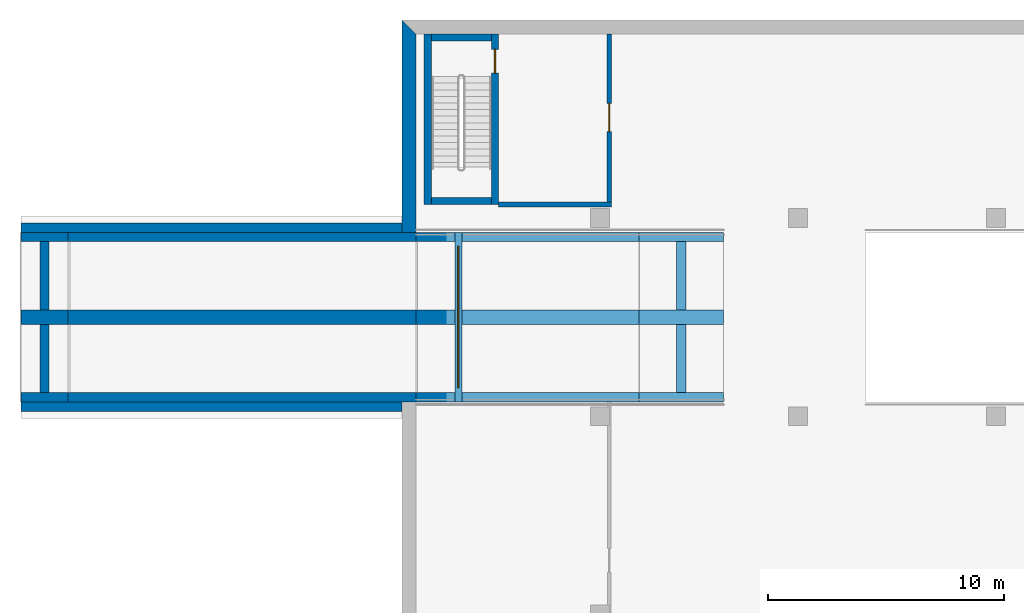
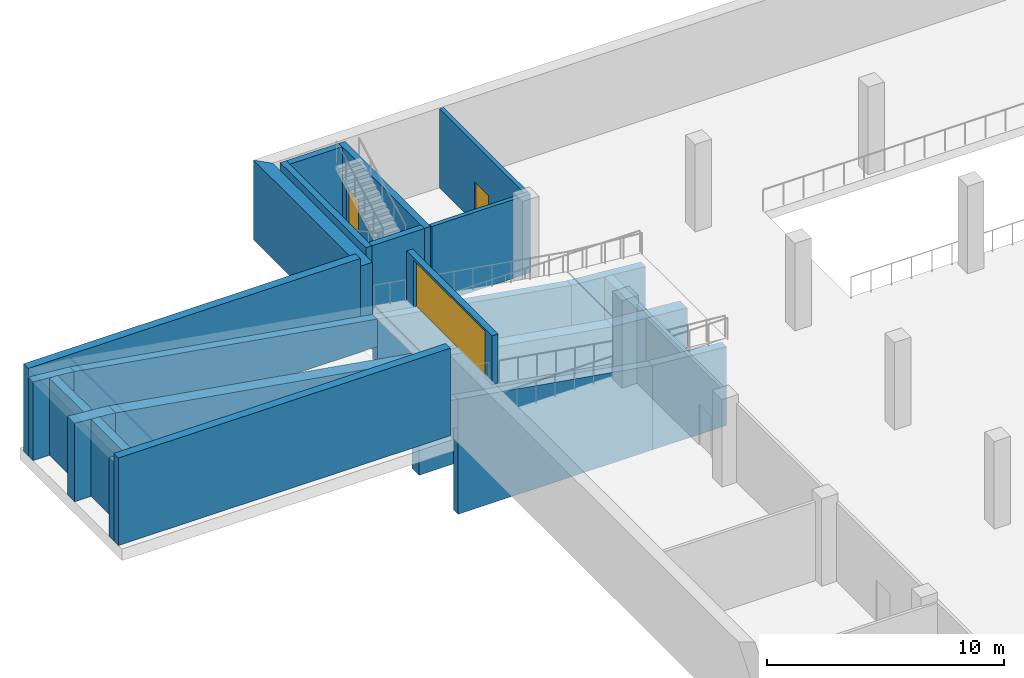
# One storey, part 9 of 21: 26 walls, 3 doors, 3 openings.
"""IFC4 building model written with IfcOpenShell, lengths in metres."""

from ifc_helpers import new_model, si_unit, direction, frame, frame_2d, origin, place, context, subcontext, project, spatial, polyline, rectangle, outline, extrude, material, layer, layer_set, type_object, element, fill, save


model = new_model("IFC4")

# Units and contexts
model_context = context("Model", 3, precision=1e-05, world=origin(), true_north=direction((0.0, 1.0)))
body_context = subcontext(model_context, "Body", "Model", "MODEL_VIEW")
ifc_project = project(units=[si_unit("LENGTHUNIT", "METRE"), si_unit("AREAUNIT", "SQUARE_METRE"), si_unit("VOLUMEUNIT", "CUBIC_METRE"), si_unit("PLANEANGLEUNIT", "RADIAN"), si_unit("MASSUNIT", "GRAM", prefix="KILO")], contexts=[model_context])

# Site, building, storey
site_placement = place(None, origin())
site = spatial("IfcSite", under=ifc_project, at=site_placement, CompositionType="ELEMENT")
building_placement = place(site_placement, origin())
building = spatial("IfcBuilding", under=site, at=building_placement, Name="Trine Commons Tower", CompositionType="ELEMENT")
storey_placement = place(building_placement, frame((0.0, 0.0, -4.5)))
storey = spatial("IfcBuildingStorey", under=building, at=storey_placement, Name="B1", CompositionType="ELEMENT", Elevation=-4.5)

# Wall
ifc_material_1 = material(Name="Plasterboard on steel stud", Category="steel")
ifc_layer_1 = layer(ifc_material_1, 0.199951171875)
ifc_layer_set_1 = layer_set([ifc_layer_1], Name="Plasterboard on steel stud")
wall_type_1 = type_object("IfcWallType", Name="Fire wall 200 mm, EI 120", PredefinedType="PARTITIONING", material=ifc_layer_set_1)
wall_1_placement = place(storey_placement, frame((25.2998046875, 96.679931640625, 0.0), z_axis=(0.0, 0.0, 1.0), x_axis=(1.0, 0.0, 0.0)))
element("IfcWall", 1, at=wall_1_placement, inside=storey, type_object=wall_type_1, Name="Partition B1006", PredefinedType="PARTITIONING", context=body_context, shape_type="SweptSolid", body=[
    extrude(rectangle(XDim=4.80029296875, YDim=0.199951171875, at=frame_2d((2.400146484375, 0.0))), origin(), (0.0, 0.0, 1.0), 4.050048828125),
])

# Wall, opening, door
wall_2_placement = place(storey_placement, frame((30.0, 103.89990234375, 0.0), z_axis=(0.0, 0.0, 1.0), x_axis=(0.0, -1.0, 0.0)))
wall_2 = element("IfcWall", 2, at=wall_2_placement, inside=storey, type_object=wall_type_1, Name="Partition B1010", PredefinedType="PARTITIONING", context=body_context, shape_type="SweptSolid", body=[
    extrude(rectangle(XDim=7.119873046875, YDim=0.199951171875, at=frame_2d((3.56005859375, 0.0))), origin(), (0.0, 0.0, 1.0), 4.050048828125),
])
opening_1_placement = place(wall_2_placement, frame((2.93505859375, 0.0, 0.0)))
opening_1 = element("IfcOpeningElement", 3, at=opening_1_placement, cuts=wall_2, Name="Opening D-B106", PredefinedType="OPENING", context=body_context, shape_type="SweptSolid", body=[
    extrude(rectangle(XDim=1.199951171875, YDim=2.10009765625, at=frame_2d((0.60009765625, 1.050048828125))), frame((0.0, 0.10986328125, 0.0), z_axis=(0.0, -1.0, 0.0), x_axis=(1.0, 0.0, 0.0)), (0.0, 0.0, 1.0), 0.219970703125),
])
ifc_material_2 = material(Name="Timber fire door set", Category="wood")
door_type_1 = type_object("IfcDoorType", Name="Single swing door 1200x2100, FD60", OperationType="SINGLE_SWING_LEFT", PredefinedType="DOOR", material=ifc_material_2)
door_1_placement = place(opening_1_placement, origin())
door_1 = element("IfcDoor", 4, at=door_1_placement, inside=storey, type_object=door_type_1, Name="Door D-B106", OperationType="SINGLE_SWING_LEFT", OverallHeight=2.10009765625, OverallWidth=1.199951171875, PredefinedType="DOOR", context=body_context, shape_type="SweptSolid", body=[
    extrude(rectangle(XDim=1.199951171875, YDim=2.10009765625, at=frame_2d((0.60009765625, 1.050048828125))), frame((0.0, 0.02490234375, 0.0), z_axis=(0.0, -1.0, 0.0), x_axis=(1.0, 0.0, 0.0)), (0.0, 0.0, 1.0), 0.050048828125),
])
fill(opening_1, door_1)

ifc_material_3 = material(Name="Concrete C40/50", Category="concrete")
ifc_layer_2 = layer(ifc_material_3, 0.300048828125)
ifc_layer_set_2 = layer_set([ifc_layer_2], Name="Concrete C40/50")
wall_type_2 = type_object("IfcWallType", Name="RC gate wall 300 mm, C40/50", PredefinedType="SOLIDWALL", material=ifc_layer_set_2)
wall_3_placement = place(storey_placement, frame((23.60009765625, 88.300048828125, 1.574951171875), z_axis=(0.0, 0.0, 1.0), x_axis=(0.0, 1.0, 0.0)))
wall_3 = element("IfcWall", 5, at=wall_3_placement, inside=storey, type_object=wall_type_2, Name="Vehicle gate wall", PredefinedType="SOLIDWALL", context=body_context, shape_type="SweptSolid", body=[
    extrude(rectangle(XDim=7.199951171875, YDim=0.300048828125, at=frame_2d((3.60009765625, 0.0))), origin(), (0.0, 0.0, 1.0), 2.525146484375),
])
opening_2_placement = place(wall_3_placement, frame((0.60009765625, 0.0, 0.0)))
opening_2 = element("IfcOpeningElement", 6, at=opening_2_placement, cuts=wall_3, Name="Opening D-V01", PredefinedType="OPENING", context=body_context, shape_type="SweptSolid", body=[
    extrude(rectangle(XDim=6.0, YDim=2.39990234375, at=frame_2d((3.0, 1.199951171875))), frame((0.0, 0.159912109375, 0.0), z_axis=(0.0, -1.0, 0.0), x_axis=(1.0, 0.0, 0.0)), (0.0, 0.0, 1.0), 0.320068359375),
])
ifc_material_4 = material(Name="Aluminium rolling shutter", Category="aluminium")
door_type_2 = type_object("IfcDoorType", Name="Vehicle gate, rolling shutter 6000 x 2400", OperationType="ROLLINGUP", PredefinedType="DOOR", material=ifc_material_4)
door_2_placement = place(opening_2_placement, origin())
door_2 = element("IfcDoor", 7, at=door_2_placement, inside=storey, type_object=door_type_2, Name="Vehicle gate, car park entry", OperationType="ROLLINGUP", OverallHeight=2.39990234375, OverallWidth=6.0, PredefinedType="DOOR", context=body_context, shape_type="SweptSolid", body=[
    extrude(rectangle(XDim=6.0, YDim=2.39990234375, at=frame_2d((3.0, 1.199951171875))), frame((0.0, 0.02490234375, 0.0), z_axis=(0.0, -1.0, 0.0), x_axis=(1.0, 0.0, 0.0)), (0.0, 0.0, 1.0), 0.050048828125),
])
fill(opening_2, door_2)

# Walls
ifc_layer_3 = layer(ifc_material_3, 0.60009765625)
ifc_layer_set_3 = layer_set([ifc_layer_3], Name="Concrete C40/50")
wall_type_3 = type_object("IfcWallType", Name="RC ramp spine wall 600 mm, C40/50", PredefinedType="SOLIDWALL", material=ifc_layer_set_3)
wall_4_placement = place(storey_placement, frame((5.050048828125, 91.89990234375, 0.0), z_axis=(0.0, 0.0, 1.0), x_axis=(1.0, 0.0, 0.0)))
element("IfcWall", 8, at=wall_4_placement, inside=storey, type_object=wall_type_3, Name="R1 ramp wall 1C", PredefinedType="SOLIDWALL", context=body_context, shape_type="SweptSolid", body=[
    extrude(outline(polyline([(0.0, 0.0), (2.0, 0.0), (2.0, 3.8818359375), (0.0, 4.04833984375), (0.0, 0.0)])), frame((0.0, 0.300048828125, 0.0), z_axis=(0.0, -1.0, 0.0), x_axis=(1.0, 0.0, 0.0)), (0.0, 0.0, 1.0), 0.60009765625),
])
wall_5_placement = place(storey_placement, frame((7.050048828125, 91.89990234375, 0.0), z_axis=(0.0, 0.0, 1.0), x_axis=(1.0, 0.0, 0.0)))
element("IfcWall", 9, at=wall_5_placement, inside=storey, type_object=wall_type_3, Name="R1 ramp wall 2C", PredefinedType="SOLIDWALL", context=body_context, shape_type="SweptSolid", body=[
    extrude(outline(polyline([(0.0, 0.0), (14.75, 0.0), (14.75, 1.418701171875), (0.0, 3.877197265625), (0.0, 0.0)])), frame((0.0, 0.300048828125, 0.0), z_axis=(0.0, -1.0, 0.0), x_axis=(1.0, 0.0, 0.0)), (0.0, 0.0, 1.0), 0.60009765625),
])
wall_6_placement = place(storey_placement, frame((21.800048828125, 91.89990234375, -4.5), z_axis=(0.0, 0.0, 1.0), x_axis=(1.0, 0.0, 0.0)))
element("IfcWall", 10, at=wall_6_placement, inside=storey, type_object=wall_type_3, Name="R1 ramp wall 3C", PredefinedType="SOLIDWALL", context=body_context, shape_type="SweptSolid", body=[
    extrude(outline(polyline([(0.0, 0.0), (9.449951171875, 0.0), (9.449951171875, 4.34375), (0.0, 5.918701171875), (0.0, 0.0)])), frame((0.0, 0.300048828125, 0.0), z_axis=(0.0, -1.0, 0.0), x_axis=(1.0, 0.0, 0.0)), (0.0, 0.0, 1.0), 0.60009765625),
])
wall_7_placement = place(storey_placement, frame((31.25, 91.89990234375, -4.5), z_axis=(0.0, 0.0, 1.0), x_axis=(1.0, 0.0, 0.0)))
element("IfcWall", 11, at=wall_7_placement, inside=storey, type_object=wall_type_3, Name="R1 ramp wall 4C", PredefinedType="SOLIDWALL", context=body_context, shape_type="SweptSolid", body=[
    extrude(outline(polyline([(0.0, 0.0), (3.60009765625, 0.0), (3.60009765625, 4.04833984375), (0.0, 4.348388671875), (0.0, 0.0)])), frame((0.0, 0.300048828125, 0.0), z_axis=(0.0, -1.0, 0.0), x_axis=(1.0, 0.0, 0.0)), (0.0, 0.0, 1.0), 0.60009765625),
])
ifc_layer_4 = layer(ifc_material_3, 0.39990234375)
ifc_layer_set_4 = layer_set([ifc_layer_4], Name="Concrete C40/50")
wall_type_4 = type_object("IfcWallType", Name="RC ramp wall 400 mm, C40/50", PredefinedType="SOLIDWALL", material=ifc_layer_set_4)
for number, where, z_axis, x_axis, name in (
    (12, (5.050048828125, 88.5, 0.0), (0.0, 0.0, 1.0), (1.0, 0.0, 0.0), "R1 ramp wall 1W"),
    (13, (5.050048828125, 95.300048828125, 0.0), (0.0, 0.0, 1.0), (1.0, 0.0, 0.0), "R1 ramp wall 1E"),
):
    element("IfcWall", number, at=place(storey_placement, frame(where, z_axis=z_axis, x_axis=x_axis)), inside=storey, type_object=wall_type_4, Name=name, PredefinedType="SOLIDWALL", context=body_context, shape_type="SweptSolid", body=[
        extrude(outline(polyline([(0.0, 0.0), (2.0, 0.0), (2.0, 3.8818359375), (0.0, 4.04833984375), (0.0, 0.0)])), frame((0.0, 0.199951171875, 0.0), z_axis=(0.0, -1.0, 0.0), x_axis=(1.0, 0.0, 0.0)), (0.0, 0.0, 1.0), 0.39990234375),
    ])
for number, where, z_axis, x_axis, name in (
    (14, (6.050048828125, 88.699951171875, 0.0), (0.0, 0.0, 1.0), (0.0, 1.0, 0.0), "R1 ramp cross wall 1X1"),
    (15, (6.050048828125, 92.199951171875, 0.0), (0.0, 0.0, 1.0), (0.0, 1.0, 0.0), "R1 ramp cross wall 1X2"),
):
    element("IfcWall", number, at=place(storey_placement, frame(where, z_axis=z_axis, x_axis=x_axis)), inside=storey, type_object=wall_type_4, Name=name, PredefinedType="SOLIDWALL", context=body_context, shape_type="SweptSolid", body=[
        extrude(rectangle(XDim=2.900146484375, YDim=0.39990234375, at=frame_2d((1.4501953125, 0.0))), origin(), (0.0, 0.0, 1.0), 3.965087890625),
    ])
for number, where, z_axis, x_axis, name in (
    (16, (7.050048828125, 88.5, 0.0), (0.0, 0.0, 1.0), (1.0, 0.0, 0.0), "R1 ramp wall 2W"),
    (17, (7.050048828125, 95.300048828125, 0.0), (0.0, 0.0, 1.0), (1.0, 0.0, 0.0), "R1 ramp wall 2E"),
):
    element("IfcWall", number, at=place(storey_placement, frame(where, z_axis=z_axis, x_axis=x_axis)), inside=storey, type_object=wall_type_4, Name=name, PredefinedType="SOLIDWALL", context=body_context, shape_type="SweptSolid", body=[
        extrude(outline(polyline([(0.0, 0.0), (14.75, 0.0), (14.75, 1.418701171875), (0.0, 3.877197265625), (0.0, 0.0)])), frame((0.0, 0.199951171875, 0.0), z_axis=(0.0, -1.0, 0.0), x_axis=(1.0, 0.0, 0.0)), (0.0, 0.0, 1.0), 0.39990234375),
    ])
for number, where, z_axis, x_axis, name in (
    (18, (21.800048828125, 88.5, -4.5), (0.0, 0.0, 1.0), (1.0, 0.0, 0.0), "R1 ramp wall 3W"),
    (19, (21.800048828125, 95.300048828125, -4.5), (0.0, 0.0, 1.0), (1.0, 0.0, 0.0), "R1 ramp wall 3E"),
):
    element("IfcWall", number, at=place(storey_placement, frame(where, z_axis=z_axis, x_axis=x_axis)), inside=storey, type_object=wall_type_4, Name=name, PredefinedType="SOLIDWALL", context=body_context, shape_type="SweptSolid", body=[
        extrude(outline(polyline([(0.0, 0.0), (9.449951171875, 0.0), (9.449951171875, 4.34375), (0.0, 5.918701171875), (0.0, 0.0)])), frame((0.0, 0.199951171875, 0.0), z_axis=(0.0, -1.0, 0.0), x_axis=(1.0, 0.0, 0.0)), (0.0, 0.0, 1.0), 0.39990234375),
    ])
for number, where, z_axis, x_axis, name in (
    (20, (31.25, 88.5, -4.5), (0.0, 0.0, 1.0), (1.0, 0.0, 0.0), "R1 ramp wall 4W"),
    (21, (31.25, 95.300048828125, -4.5), (0.0, 0.0, 1.0), (1.0, 0.0, 0.0), "R1 ramp wall 4E"),
):
    element("IfcWall", number, at=place(storey_placement, frame(where, z_axis=z_axis, x_axis=x_axis)), inside=storey, type_object=wall_type_4, Name=name, PredefinedType="SOLIDWALL", context=body_context, shape_type="SweptSolid", body=[
        extrude(outline(polyline([(0.0, 0.0), (3.60009765625, 0.0), (3.60009765625, 4.04833984375), (0.0, 4.348388671875), (0.0, 0.0)])), frame((0.0, 0.199951171875, 0.0), z_axis=(0.0, -1.0, 0.0), x_axis=(1.0, 0.0, 0.0)), (0.0, 0.0, 1.0), 0.39990234375),
    ])
for number, where, z_axis, x_axis, name in (
    (22, (33.050048828125, 88.699951171875, -4.5), (0.0, 0.0, 1.0), (0.0, 1.0, 0.0), "R1 ramp cross wall 4X1"),
    (23, (33.050048828125, 92.199951171875, -4.5), (0.0, 0.0, 1.0), (0.0, 1.0, 0.0), "R1 ramp cross wall 4X2"),
):
    element("IfcWall", number, at=place(storey_placement, frame(where, z_axis=z_axis, x_axis=x_axis)), inside=storey, type_object=wall_type_4, Name=name, PredefinedType="SOLIDWALL", context=body_context, shape_type="SweptSolid", body=[
        extrude(rectangle(XDim=2.900146484375, YDim=0.39990234375, at=frame_2d((1.4501953125, 0.0))), origin(), (0.0, 0.0, 1.0), 4.198486328125),
    ])
for number, where, z_axis, x_axis, name in (
    (24, (5.050048828125, 88.10009765625, 0.0), (0.0, 0.0, 1.0), (1.0, 0.0, 0.0), "R1 cutting wall W"),
    (25, (5.050048828125, 95.699951171875, 0.0), (0.0, 0.0, 1.0), (1.0, 0.0, 0.0), "R1 cutting wall E"),
):
    element("IfcWall", number, at=place(storey_placement, frame(where, z_axis=z_axis, x_axis=x_axis)), inside=storey, type_object=wall_type_4, Name=name, PredefinedType="SOLIDWALL", context=body_context, shape_type="SweptSolid", body=[
        extrude(rectangle(XDim=16.14990234375, YDim=0.39990234375, at=frame_2d((8.074951171875, 0.0))), origin(), (0.0, 0.0, 1.0), 4.5),
    ])
ifc_layer_5 = layer(ifc_material_3, 0.60009765625)
ifc_layer_set_5 = layer_set([ifc_layer_5], Name="Concrete C40/50")
wall_type_5 = type_object("IfcWallType", Name="RC retaining wall 600 mm, C40/50", PredefinedType="SOLIDWALL", material=ifc_layer_set_5)
wall_8_placement = place(storey_placement, frame((21.5, 104.199951171875, 0.0), z_axis=(0.0, 0.0, 1.0), x_axis=(0.0, -1.0, 0.0)))
element("IfcWall", 26, at=wall_8_placement, inside=storey, type_object=wall_type_5, Name="Retaining wall B1 W1", PredefinedType="SOLIDWALL", context=body_context, shape_type="SweptSolid", body=[
    extrude(outline(polyline([(-0.300048828125, -0.300048828125), (8.699951171875, -0.300048828125), (8.699951171875, 0.300048828125), (0.300048828125, 0.300048828125), (-0.300048828125, -0.300048828125)])), origin(), (0.0, 0.0, 1.0), 4.10009765625),
])
ifc_layer_6 = layer(ifc_material_3, 0.300048828125)
ifc_layer_set_6 = layer_set([ifc_layer_6], Name="Concrete C40/50")
wall_type_6 = type_object("IfcWallType", Name="RC stair enclosure wall 300 mm, C40/50", PredefinedType="SHEAR", material=ifc_layer_set_6)
wall_9_placement = place(storey_placement, frame((22.300048828125, 103.89990234375, 0.0), z_axis=(0.0, 0.0, 1.0), x_axis=(0.0, -1.0, 0.0)))
element("IfcWall", 27, at=wall_9_placement, inside=storey, type_object=wall_type_6, Name="Stair STB3 enclosure wall B1", PredefinedType="SHEAR", context=body_context, shape_type="SweptSolid", body=[
    extrude(rectangle(XDim=7.219970703125, YDim=0.300048828125, at=frame_2d((3.60986328125, 0.0))), origin(), (0.0, 0.0, 1.0), 4.0),
])

# Wall, opening, door
wall_10_placement = place(storey_placement, frame((25.14990234375, 103.89990234375, 0.0), z_axis=(0.0, 0.0, 1.0), x_axis=(0.0, -1.0, 0.0)))
wall_10 = element("IfcWall", 28, at=wall_10_placement, inside=storey, type_object=wall_type_6, Name="Stair STB3 enclosure wall B1", PredefinedType="SHEAR", context=body_context, shape_type="SweptSolid", body=[
    extrude(rectangle(XDim=7.219970703125, YDim=0.300048828125, at=frame_2d((3.60986328125, 0.0))), origin(), (0.0, 0.0, 1.0), 4.0),
])
opening_3_placement = place(wall_10_placement, frame((0.64990234375, 0.0, 0.0)))
opening_3 = element("IfcOpeningElement", 29, at=opening_3_placement, cuts=wall_10, Name="Opening D-S08", PredefinedType="OPENING", context=body_context, shape_type="SweptSolid", body=[
    extrude(rectangle(XDim=1.0, YDim=2.10009765625, at=frame_2d((0.5, 1.050048828125))), frame((0.0, 0.159912109375, 0.0), z_axis=(0.0, -1.0, 0.0), x_axis=(1.0, 0.0, 0.0)), (0.0, 0.0, 1.0), 0.320068359375),
])
ifc_material_5 = material(Name="Steel fire door FD90S", Category="steel")
door_type_3 = type_object("IfcDoorType", Name="Fire door 1000 x 2100, FD90S", OperationType="SINGLE_SWING_LEFT", PredefinedType="DOOR", material=ifc_material_5)
door_3_placement = place(opening_3_placement, origin())
door_3 = element("IfcDoor", 30, at=door_3_placement, inside=storey, type_object=door_type_3, Name="Stair STB3 door B1", OperationType="SINGLE_SWING_LEFT", OverallHeight=2.10009765625, OverallWidth=1.0, PredefinedType="DOOR", context=body_context, shape_type="SweptSolid", body=[
    extrude(rectangle(XDim=1.0, YDim=2.10009765625, at=frame_2d((0.5, 1.050048828125))), frame((0.0, 0.02490234375, 0.0), z_axis=(0.0, -1.0, 0.0), x_axis=(1.0, 0.0, 0.0)), (0.0, 0.0, 1.0), 0.050048828125),
])
fill(opening_3, door_3)

# Walls
for number, where, z_axis, x_axis, name in (
    (31, (22.449951171875, 103.75, 0.0), (0.0, 0.0, 1.0), (1.0, 0.0, 0.0), "Stair STB3 enclosure wall B1"),
    (32, (22.449951171875, 96.830078125, 0.0), (0.0, 0.0, 1.0), (1.0, 0.0, 0.0), "Stair STB3 enclosure wall B1"),
):
    element("IfcWall", number, at=place(storey_placement, frame(where, z_axis=z_axis, x_axis=x_axis)), inside=storey, type_object=wall_type_6, Name=name, PredefinedType="SHEAR", context=body_context, shape_type="SweptSolid", body=[
        extrude(rectangle(XDim=2.550048828125, YDim=0.300048828125, at=frame_2d((1.27490234375, 0.0))), origin(), (0.0, 0.0, 1.0), 4.0),
    ])

save(model, "model.ifc")
